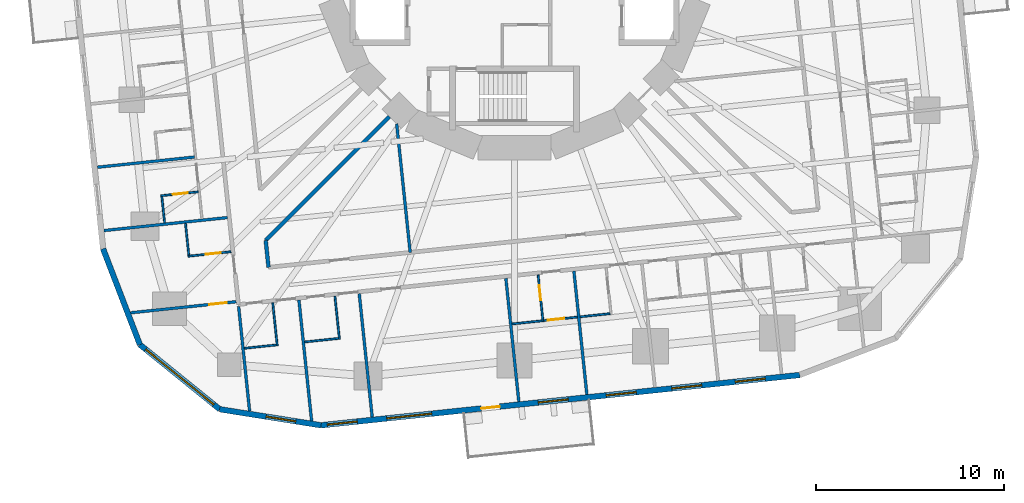
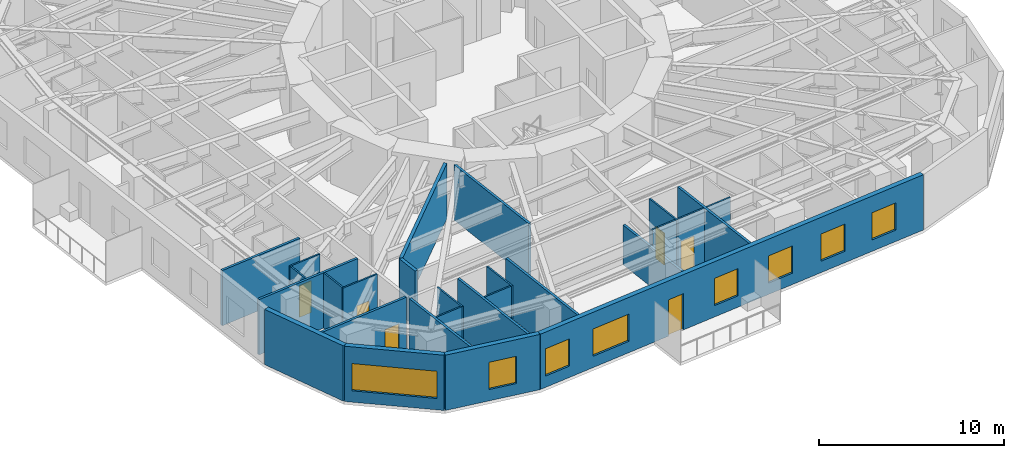
# One storey, part 4 of 13: 27 walls, 8 windows, 6 doors, 14 openings.
"""IFC4 building model written with IfcOpenShell, lengths in metres."""

from ifc_helpers import new_model, si_unit, direction, frame, frame_2d, origin, place, context, subcontext, project, spatial, rectangle, extrude, material, layer, layer_set, type_object, element, fill, save


model = new_model("IFC4")

# Units and contexts
model_context = context("Model", 3, precision=1e-05, world=origin(), true_north=direction((0.0, 1.0)))
body_context = subcontext(model_context, "Body", "Model", "MODEL_VIEW")
ifc_project = project(units=[si_unit("LENGTHUNIT", "METRE"), si_unit("AREAUNIT", "SQUARE_METRE"), si_unit("VOLUMEUNIT", "CUBIC_METRE"), si_unit("PLANEANGLEUNIT", "RADIAN"), si_unit("MASSUNIT", "GRAM", prefix="KILO")], contexts=[model_context])

# Site, building, storey
site_placement = place(None, origin())
site = spatial("IfcSite", under=ifc_project, at=site_placement, CompositionType="ELEMENT")
building_placement = place(site_placement, origin())
building = spatial("IfcBuilding", under=site, at=building_placement, Name="Nakasero Lantern House", CompositionType="ELEMENT")
storey_placement = place(building_placement, frame((0.0, 0.0, 91.300048828125)))
storey = spatial("IfcBuildingStorey", under=building, at=storey_placement, Name="L22", CompositionType="ELEMENT", Elevation=91.300048828125)

# Walls
ifc_material_1 = material(Name="Blockwork", Category="masonry")
ifc_layer_1 = layer(ifc_material_1, 0.199951171875)
ifc_layer_set_1 = layer_set([ifc_layer_1], Name="Corridor wall 200")
wall_type_1 = type_object("IfcWallType", Name="Corridor wall 200", PredefinedType="PARTITIONING", material=ifc_layer_set_1)
wall_1_placement = place(storey_placement, frame((-13.23388671875, -14.718994140625, 0.0), z_axis=(0.0, 0.0, 1.0), x_axis=(0.104420916302, -0.994533193131, 0.0)))
element("IfcWall", 1, at=wall_1_placement, inside=storey, type_object=wall_type_1, Name="Corridor wall L22 IW2-1", PredefinedType="PARTITIONING", context=body_context, shape_type="SweptSolid", body=[
    extrude(rectangle(XDim=1.44482421875, YDim=0.199951171875, at=frame_2d((0.722412109375, 0.0))), origin(), (0.0, 0.0, 1.0), 3.64990234375),
])
wall_2_placement = place(storey_placement, frame((-6.65234375, -8.13720703125, 0.0), z_axis=(0.0, 0.0, 1.0), x_axis=(-0.707093666337, -0.707119895793, 0.0)))
element("IfcWall", 2, at=wall_2_placement, inside=storey, type_object=wall_type_1, Name="Corridor wall L22 PS10a", PredefinedType="PARTITIONING", context=body_context, shape_type="SweptSolid", body=[
    extrude(rectangle(XDim=9.307861328125, YDim=0.199951171875, at=frame_2d((4.65380859375, 0.0))), origin(), (0.0, 0.0, 1.0), 3.64990234375),
])

# Wall, opening, door
ifc_material_2 = material(Name="Blockwork", Category="masonry")
ifc_layer_2 = layer(ifc_material_2, 0.10009765625)
ifc_layer_set_2 = layer_set([ifc_layer_2], Name="En-suite wall 100")
wall_type_2 = type_object("IfcWallType", Name="En-suite wall 100", PredefinedType="PARTITIONING", material=ifc_layer_set_2)
wall_3_placement = place(storey_placement, frame((-16.822998046875, -12.14111328125, 0.0), z_axis=(0.0, 0.0, 1.0), x_axis=(-0.99452550138, -0.104494148666, 0.0)))
wall_3 = element("IfcWall", 3, at=wall_3_placement, inside=storey, type_object=wall_type_2, Name="En-suite wall L22 ES2-07", PredefinedType="PARTITIONING", context=body_context, shape_type="SweptSolid", body=[
    extrude(rectangle(XDim=2.0, YDim=0.10009765625, at=frame_2d((1.0, 0.0))), origin(), (0.0, 0.0, 1.0), 3.64990234375),
])
opening_1_placement = place(wall_3_placement, frame((0.550048828125, 0.0, 0.0)))
opening_1 = element("IfcOpeningElement", 4, at=opening_1_placement, cuts=wall_3, Name="Opening D02", PredefinedType="OPENING", context=body_context, shape_type="SweptSolid", body=[
    extrude(rectangle(XDim=0.800048828125, YDim=2.10009765625, at=frame_2d((0.39990234375, 1.050048828125))), frame((0.0, 0.070068359375, 0.0), z_axis=(0.0, -1.0, 0.0), x_axis=(1.0, 0.0, 0.0)), (0.0, 0.0, 1.0), 0.14013671875),
])
ifc_material_3 = material(Name="Timber C24", Category="wood")
door_type_1 = type_object("IfcDoorType", Name="En-suite door 800", OperationType="SINGLE_SWING_RIGHT", PredefinedType="DOOR", material=ifc_material_3)
door_1_placement = place(opening_1_placement, origin())
door_1 = element("IfcDoor", 5, at=door_1_placement, inside=storey, type_object=door_type_1, Name="Door L22 DE2-07", OperationType="SINGLE_SWING_LEFT", OverallHeight=2.10009765625, OverallWidth=0.800048828125, PredefinedType="DOOR", context=body_context, shape_type="SweptSolid", body=[
    extrude(rectangle(XDim=0.800048828125, YDim=2.10009765625, at=frame_2d((0.39990234375, 1.050048828125))), frame((0.0, 0.02490234375, 0.0), z_axis=(0.0, -1.0, 0.0), x_axis=(1.0, 0.0, 0.0)), (0.0, 0.0, 1.0), 0.050048828125),
])
fill(opening_1, door_1)

# Wall
wall_4_placement = place(storey_placement, frame((-18.757080078125, -12.394775390625, 0.0), z_axis=(0.0, 0.0, 1.0), x_axis=(0.104457839748, -0.994529315664, 0.0)))
element("IfcWall", 6, at=wall_4_placement, inside=storey, type_object=wall_type_2, Name="En-suite wall L22 EE2-07", PredefinedType="PARTITIONING", context=body_context, shape_type="SweptSolid", body=[
    extrude(rectangle(XDim=1.39990234375, YDim=0.10009765625, at=frame_2d((0.699951171875, 0.0))), origin(), (0.0, 0.0, 1.0), 3.64990234375),
])

# Wall, opening, door
wall_5_placement = place(storey_placement, frame((-15.08056640625, -15.326416015625, 0.0), z_axis=(0.0, 0.0, 1.0), x_axis=(-0.994518822602, -0.104557694553, 0.0)))
wall_5 = element("IfcWall", 7, at=wall_5_placement, inside=storey, type_object=wall_type_2, Name="En-suite wall L22 ES2-08", PredefinedType="PARTITIONING", context=body_context, shape_type="SweptSolid", body=[
    extrude(rectangle(XDim=2.300048828125, YDim=0.10009765625, at=frame_2d((1.14990234375, 0.0))), origin(), (0.0, 0.0, 1.0), 3.64990234375),
])
opening_2_placement = place(wall_5_placement, frame((0.550048828125, 0.0, 0.0)))
opening_2 = element("IfcOpeningElement", 8, at=opening_2_placement, cuts=wall_5, Name="Opening D02", PredefinedType="OPENING", context=body_context, shape_type="SweptSolid", body=[
    extrude(rectangle(XDim=0.800048828125, YDim=2.10009765625, at=frame_2d((0.39990234375, 1.050048828125))), frame((0.0, 0.070068359375, 0.0), z_axis=(0.0, -1.0, 0.0), x_axis=(1.0, 0.0, 0.0)), (0.0, 0.0, 1.0), 0.14013671875),
])
door_2_placement = place(opening_2_placement, origin())
door_2 = element("IfcDoor", 9, at=door_2_placement, inside=storey, type_object=door_type_1, Name="Door L22 DE2-08", OperationType="SINGLE_SWING_LEFT", OverallHeight=2.10009765625, OverallWidth=0.800048828125, PredefinedType="DOOR", context=body_context, shape_type="SweptSolid", body=[
    extrude(rectangle(XDim=0.800048828125, YDim=2.10009765625, at=frame_2d((0.39990234375, 1.050048828125))), frame((0.0, 0.02490234375, 0.0), z_axis=(0.0, -1.0, 0.0), x_axis=(1.0, 0.0, 0.0)), (0.0, 0.0, 1.0), 0.050048828125),
])
fill(opening_2, door_2)

# Walls
wall_6_placement = place(storey_placement, frame((-17.501220703125, -13.8212890625, 0.0), z_axis=(0.0, 0.0, 1.0), x_axis=(0.104550220202, -0.994519608382, 0.0)))
element("IfcWall", 10, at=wall_6_placement, inside=storey, type_object=wall_type_2, Name="En-suite wall L22 EE2-08", PredefinedType="PARTITIONING", context=body_context, shape_type="SweptSolid", body=[
    extrude(rectangle(XDim=1.699951171875, YDim=0.10009765625, at=frame_2d((0.85009765625, 0.0))), origin(), (0.0, 0.0, 1.0), 3.64990234375),
])
wall_7_placement = place(storey_placement, frame((-12.859375, -18.04296875, 0.0), z_axis=(0.0, 0.0, 1.0), x_axis=(0.104452703326, -0.994529855142, 0.0)))
element("IfcWall", 11, at=wall_7_placement, inside=storey, type_object=wall_type_2, Name="En-suite wall L22 ES3-00", PredefinedType="PARTITIONING", context=body_context, shape_type="SweptSolid", body=[
    extrude(rectangle(XDim=2.300048828125, YDim=0.10009765625, at=frame_2d((1.14990234375, 0.0))), origin(), (0.0, 0.0, 1.0), 3.64990234375),
])
wall_8_placement = place(storey_placement, frame((-14.36474609375, -20.463623046875, 0.0), z_axis=(0.0, 0.0, 1.0), x_axis=(0.994519608382, 0.104550220202, 0.0)))
element("IfcWall", 12, at=wall_8_placement, inside=storey, type_object=wall_type_2, Name="En-suite wall L22 EE3-00", PredefinedType="PARTITIONING", context=body_context, shape_type="SweptSolid", body=[
    extrude(rectangle(XDim=1.699951171875, YDim=0.10009765625, at=frame_2d((0.85009765625, 0.0))), origin(), (0.0, 0.0, 1.0), 3.64990234375),
])
wall_9_placement = place(storey_placement, frame((-9.55224609375, -17.6953125, 0.0), z_axis=(0.0, 0.0, 1.0), x_axis=(0.104441677364, -0.994531013106, 0.0)))
element("IfcWall", 13, at=wall_9_placement, inside=storey, type_object=wall_type_2, Name="En-suite wall L22 ES3-01", PredefinedType="PARTITIONING", context=body_context, shape_type="SweptSolid", body=[
    extrude(rectangle(XDim=2.30029296875, YDim=0.10009765625, at=frame_2d((1.150146484375, 0.0))), origin(), (0.0, 0.0, 1.0), 3.64990234375),
])
wall_10_placement = place(storey_placement, frame((-11.156982421875, -20.12646484375, 0.0), z_axis=(0.0, 0.0, 1.0), x_axis=(0.994516595821, 0.104578872801, 0.0)))
element("IfcWall", 14, at=wall_10_placement, inside=storey, type_object=wall_type_2, Name="En-suite wall L22 EE3-01", PredefinedType="PARTITIONING", context=body_context, shape_type="SweptSolid", body=[
    extrude(rectangle(XDim=1.7998046875, YDim=0.10009765625, at=frame_2d((0.89990234375, 0.0))), origin(), (0.0, 0.0, 1.0), 3.64990234375),
])

# Wall, opening, door
wall_11_placement = place(storey_placement, frame((1.255615234375, -16.5595703125, 0.0), z_axis=(0.0, 0.0, 1.0), x_axis=(0.104501760842, -0.994524701544, 0.0)))
wall_11 = element("IfcWall", 15, at=wall_11_placement, inside=storey, type_object=wall_type_2, Name="En-suite wall L22 ES3-04", PredefinedType="PARTITIONING", context=body_context, shape_type="SweptSolid", body=[
    extrude(rectangle(XDim=2.499755859375, YDim=0.10009765625, at=frame_2d((1.25, 0.0))), origin(), (0.0, 0.0, 1.0), 3.64990234375),
])
opening_3_placement = place(wall_11_placement, frame((0.550048828125, 0.0, 0.0)))
opening_3 = element("IfcOpeningElement", 16, at=opening_3_placement, cuts=wall_11, Name="Opening D02", PredefinedType="OPENING", context=body_context, shape_type="SweptSolid", body=[
    extrude(rectangle(XDim=0.800048828125, YDim=2.10009765625, at=frame_2d((0.39990234375, 1.050048828125))), frame((0.0, 0.070068359375, 0.0), z_axis=(0.0, -1.0, 0.0), x_axis=(1.0, 0.0, 0.0)), (0.0, 0.0, 1.0), 0.14013671875),
])
door_3_placement = place(opening_3_placement, origin())
door_3 = element("IfcDoor", 17, at=door_3_placement, inside=storey, type_object=door_type_1, Name="Door L22 DE3-04", OperationType="SINGLE_SWING_LEFT", OverallHeight=2.10009765625, OverallWidth=0.800048828125, PredefinedType="DOOR", context=body_context, shape_type="SweptSolid", body=[
    extrude(rectangle(XDim=0.800048828125, YDim=2.10009765625, at=frame_2d((0.39990234375, 1.050048828125))), frame((0.0, 0.02490234375, 0.0), z_axis=(0.0, -1.0, 0.0), x_axis=(1.0, 0.0, 0.0)), (0.0, 0.0, 1.0), 0.050048828125),
])
fill(opening_3, door_3)

# Walls
for number, where, z_axis, x_axis, name in (
    (18, (-0.129150390625, -19.16845703125, 0.0), (0.0, 0.0, 1.0), (0.994521329025, 0.104533851524, 0.0), "En-suite wall L22 EE3-04"),
    (19, (3.489501953125, -18.7880859375, 0.0), (0.0, 0.0, 1.0), (0.994521329025, 0.104533851524, 0.0), "En-suite wall L22 EE3-05"),
):
    element("IfcWall", number, at=place(storey_placement, frame(where, z_axis=z_axis, x_axis=x_axis)), inside=storey, type_object=wall_type_2, Name=name, PredefinedType="PARTITIONING", context=body_context, shape_type="SweptSolid", body=[
        extrude(rectangle(XDim=1.599853515625, YDim=0.10009765625, at=frame_2d((0.7998046875, 0.0))), origin(), (0.0, 0.0, 1.0), 3.64990234375),
    ])

# Wall, opening, door
wall_12_placement = place(storey_placement, frame((1.5615234375, -18.99072265625, 0.0), z_axis=(0.0, 0.0, 1.0), x_axis=(0.99453309198, 0.104421879682, 0.0)))
wall_12 = element("IfcWall", 20, at=wall_12_placement, inside=storey, type_object=wall_type_2, Name="En-suite wall L22 EL3-04", PredefinedType="PARTITIONING", context=body_context, shape_type="SweptSolid", body=[
    extrude(rectangle(XDim=1.78857421875, YDim=0.10009765625, at=frame_2d((0.894287109375, 0.0))), origin(), (0.0, 0.0, 1.0), 3.64990234375),
])
opening_4_placement = place(wall_12_placement, frame((0.199951171875, 0.0, 0.0)))
opening_4 = element("IfcOpeningElement", 21, at=opening_4_placement, cuts=wall_12, Name="Opening D17", PredefinedType="OPENING", context=body_context, shape_type="SweptSolid", body=[
    extrude(rectangle(XDim=0.89990234375, YDim=2.10009765625, at=frame_2d((0.449951171875, 1.050048828125))), frame((0.0, 0.070068359375, 0.0), z_axis=(0.0, -1.0, 0.0), x_axis=(1.0, 0.0, 0.0)), (0.0, 0.0, 1.0), 0.14013671875),
])
ifc_material_4 = material(Name="Timber C24", Category="wood")
door_type_2 = type_object("IfcDoorType", Name="Bedroom door FD30S 900", OperationType="SINGLE_SWING_LEFT", PredefinedType="DOOR", material=ifc_material_4)
door_4_placement = place(opening_4_placement, origin())
door_4 = element("IfcDoor", 22, at=door_4_placement, inside=storey, type_object=door_type_2, Name="Door L22 DL3-04", OperationType="SINGLE_SWING_LEFT", OverallHeight=2.10009765625, OverallWidth=0.89990234375, PredefinedType="DOOR", context=body_context, shape_type="SweptSolid", body=[
    extrude(rectangle(XDim=0.89990234375, YDim=2.10009765625, at=frame_2d((0.449951171875, 1.050048828125))), frame((0.0, 0.02490234375, 0.0), z_axis=(0.0, -1.0, 0.0), x_axis=(1.0, 0.0, 0.0)), (0.0, 0.0, 1.0), 0.050048828125),
])
fill(opening_4, door_4)

# Wall
ifc_material_5 = material(Name="Aluminium rainscreen on blockwork", Category="masonry")
ifc_layer_3 = layer(ifc_material_5, 0.300048828125)
ifc_layer_set_3 = layer_set([ifc_layer_3], Name="Facade wall 300")
wall_type_3 = type_object("IfcWallType", Name="Facade wall 300", PredefinedType="SOLIDWALL", material=ifc_layer_set_3)
wall_13_placement = place(storey_placement, frame((-21.884033203125, -15.170654296875, 0.0), z_axis=(0.0, 0.0, 1.0), x_axis=(0.358358884793, -0.933583906079, 0.0)))
element("IfcWall", 23, at=wall_13_placement, inside=storey, type_object=wall_type_3, Name="Facade wall L22 FW2C1", PredefinedType="SOLIDWALL", context=body_context, shape_type="SweptSolid", body=[
    extrude(rectangle(XDim=5.461181640625, YDim=0.300048828125, at=frame_2d((2.73046875, 0.0))), origin(), (0.0, 0.0, 1.0), 3.64990234375),
])

# Wall, opening, window
wall_14_placement = place(storey_placement, frame((-19.927001953125, -20.26904296875, 0.0), z_axis=(0.0, 0.0, 1.0), x_axis=(0.777134500863, -0.629334543442, 0.0)))
wall_14 = element("IfcWall", 24, at=wall_14_placement, inside=storey, type_object=wall_type_3, Name="Facade wall L22 FW2C2", PredefinedType="SOLIDWALL", context=body_context, shape_type="SweptSolid", body=[
    extrude(rectangle(XDim=5.4609375, YDim=0.300048828125, at=frame_2d((2.73046875, 0.0))), origin(), (0.0, 0.0, 1.0), 3.64990234375),
])
opening_5_placement = place(wall_14_placement, frame((0.39990234375, 0.0, 0.75)))
opening_5 = element("IfcOpeningElement", 25, at=opening_5_placement, cuts=wall_14, Name="Opening W246", PredefinedType="OPENING", context=body_context, shape_type="SweptSolid", body=[
    extrude(rectangle(XDim=4.660888671875, YDim=1.800048828125, at=frame_2d((2.33056640625, 0.89990234375))), frame((0.0, 0.169921875, 0.0), z_axis=(0.0, -1.0, 0.0), x_axis=(1.0, 0.0, 0.0)), (0.0, 0.0, 1.0), 0.340087890625),
])
ifc_material_6 = material(Name="Aluminium 6063-T6 and glass", Category="aluminium")
window_type_1 = type_object("IfcWindowType", Name="Corner window 4661x1800", PartitioningType="SINGLE_PANEL", PredefinedType="WINDOW", material=ifc_material_6)
window_1_placement = place(opening_5_placement, origin())
window_1 = element("IfcWindow", 26, at=window_1_placement, inside=storey, type_object=window_type_1, Name="Window L22 WC2", OverallHeight=1.800048828125, OverallWidth=4.660888671875, PartitioningType="SINGLE_PANEL", PredefinedType="WINDOW", context=body_context, shape_type="SweptSolid", body=[
    extrude(rectangle(XDim=4.660888671875, YDim=1.800048828125, at=frame_2d((2.33056640625, 0.89990234375))), frame((0.0, 0.030029296875, 0.0), z_axis=(0.0, -1.0, 0.0), x_axis=(1.0, 0.0, 0.0)), (0.0, 0.0, 1.0), 0.06005859375),
])
fill(opening_5, window_1)

wall_15_placement = place(storey_placement, frame((-15.68310546875, -23.705810546875, 0.0), z_axis=(0.0, 0.0, 1.0), x_axis=(0.987690729142, -0.156419383601, 0.0)))
wall_15 = element("IfcWall", 27, at=wall_15_placement, inside=storey, type_object=wall_type_3, Name="Facade wall L22 FW2C3", PredefinedType="SOLIDWALL", context=body_context, shape_type="SweptSolid", body=[
    extrude(rectangle(XDim=5.461181640625, YDim=0.300048828125, at=frame_2d((2.73046875, 0.0))), origin(), (0.0, 0.0, 1.0), 3.64990234375),
])
opening_6_placement = place(wall_15_placement, frame((2.5, 0.0, 0.75)))
opening_6 = element("IfcOpeningElement", 28, at=opening_6_placement, cuts=wall_15, Name="Opening W01", PredefinedType="OPENING", context=body_context, shape_type="SweptSolid", body=[
    extrude(rectangle(XDim=1.60009765625, YDim=1.800048828125, at=frame_2d((0.800048828125, 0.89990234375))), frame((0.0, 0.169921875, 0.0), z_axis=(0.0, -1.0, 0.0), x_axis=(1.0, 0.0, 0.0)), (0.0, 0.0, 1.0), 0.340087890625),
])
ifc_material_7 = material(Name="Aluminium 6063-T6 and glass", Category="aluminium")
window_type_2 = type_object("IfcWindowType", Name="Bedroom window 1600x1800", PartitioningType="SINGLE_PANEL", PredefinedType="WINDOW", material=ifc_material_7)
window_2_placement = place(opening_6_placement, origin())
window_2 = element("IfcWindow", 29, at=window_2_placement, inside=storey, type_object=window_type_2, Name="Window L22 WN3-00", OverallHeight=1.800048828125, OverallWidth=1.60009765625, PartitioningType="SINGLE_PANEL", PredefinedType="WINDOW", context=body_context, shape_type="SweptSolid", body=[
    extrude(rectangle(XDim=1.60009765625, YDim=1.800048828125, at=frame_2d((0.800048828125, 0.89990234375))), frame((0.0, 0.030029296875, 0.0), z_axis=(0.0, -1.0, 0.0), x_axis=(1.0, 0.0, 0.0)), (0.0, 0.0, 1.0), 0.06005859375),
])
fill(opening_6, window_2)

# Wall, openings, door, windows
wall_16_placement = place(storey_placement, frame((-10.2890625, -24.56005859375, 0.0), z_axis=(0.0, 0.0, 1.0), x_axis=(0.994521483895, 0.104532378096, 0.0)))
wall_16 = element("IfcWall", 30, at=wall_16_placement, inside=storey, type_object=wall_type_3, Name="Facade wall L22 FW3S", PredefinedType="SOLIDWALL", context=body_context, shape_type="SweptSolid", body=[
    extrude(rectangle(XDim=25.599853515625, YDim=0.300048828125, at=frame_2d((12.7998046875, 0.0))), origin(), (0.0, 0.0, 1.0), 3.64990234375),
])
opening_7_placement = place(wall_16_placement, frame((0.337890625, 0.0, 0.75)))
opening_7 = element("IfcOpeningElement", 31, at=opening_7_placement, cuts=wall_16, Name="Opening W01", PredefinedType="OPENING", context=body_context, shape_type="SweptSolid", body=[
    extrude(rectangle(XDim=1.60009765625, YDim=1.800048828125, at=frame_2d((0.800048828125, 0.89990234375))), frame((0.0, 0.169921875, 0.0), z_axis=(0.0, -1.0, 0.0), x_axis=(1.0, 0.0, 0.0)), (0.0, 0.0, 1.0), 0.340087890625),
])
opening_8_placement = place(wall_16_placement, frame((11.612060546875, 0.0, 0.75)))
opening_8 = element("IfcOpeningElement", 32, at=opening_8_placement, cuts=wall_16, Name="Opening W01", PredefinedType="OPENING", context=body_context, shape_type="SweptSolid", body=[
    extrude(rectangle(XDim=1.60009765625, YDim=1.800048828125, at=frame_2d((0.800048828125, 0.89990234375))), frame((0.0, 0.169921875, 0.0), z_axis=(0.0, -1.0, 0.0), x_axis=(1.0, 0.0, 0.0)), (0.0, 0.0, 1.0), 0.340087890625),
])
opening_9_placement = place(wall_16_placement, frame((15.250732421875, 0.0, 0.75)))
opening_9 = element("IfcOpeningElement", 33, at=opening_9_placement, cuts=wall_16, Name="Opening W01", PredefinedType="OPENING", context=body_context, shape_type="SweptSolid", body=[
    extrude(rectangle(XDim=1.60009765625, YDim=1.800048828125, at=frame_2d((0.800048828125, 0.89990234375))), frame((0.0, 0.169921875, 0.0), z_axis=(0.0, -1.0, 0.0), x_axis=(1.0, 0.0, 0.0)), (0.0, 0.0, 1.0), 0.340087890625),
])
opening_10_placement = place(wall_16_placement, frame((18.7626953125, 0.0, 0.75)))
opening_10 = element("IfcOpeningElement", 34, at=opening_10_placement, cuts=wall_16, Name="Opening W01", PredefinedType="OPENING", context=body_context, shape_type="SweptSolid", body=[
    extrude(rectangle(XDim=1.60009765625, YDim=1.800048828125, at=frame_2d((0.800048828125, 0.89990234375))), frame((0.0, 0.169921875, 0.0), z_axis=(0.0, -1.0, 0.0), x_axis=(1.0, 0.0, 0.0)), (0.0, 0.0, 1.0), 0.340087890625),
])
opening_11_placement = place(wall_16_placement, frame((22.1484375, 0.0, 0.75)))
opening_11 = element("IfcOpeningElement", 35, at=opening_11_placement, cuts=wall_16, Name="Opening W01", PredefinedType="OPENING", context=body_context, shape_type="SweptSolid", body=[
    extrude(rectangle(XDim=1.60009765625, YDim=1.800048828125, at=frame_2d((0.800048828125, 0.89990234375))), frame((0.0, 0.169921875, 0.0), z_axis=(0.0, -1.0, 0.0), x_axis=(1.0, 0.0, 0.0)), (0.0, 0.0, 1.0), 0.340087890625),
])
opening_12_placement = place(wall_16_placement, frame((3.51123046875, 0.0, 0.75)))
opening_12 = element("IfcOpeningElement", 36, at=opening_12_placement, cuts=wall_16, Name="Opening W03", PredefinedType="OPENING", context=body_context, shape_type="SweptSolid", body=[
    extrude(rectangle(XDim=2.39990234375, YDim=1.800048828125, at=frame_2d((1.199951171875, 0.89990234375))), frame((0.0, 0.169921875, 0.0), z_axis=(0.0, -1.0, 0.0), x_axis=(1.0, 0.0, 0.0)), (0.0, 0.0, 1.0), 0.340087890625),
])
opening_13_placement = place(wall_16_placement, frame((8.558837890625, 0.0, 0.0)))
opening_13 = element("IfcOpeningElement", 37, at=opening_13_placement, cuts=wall_16, Name="Opening D04", PredefinedType="OPENING", context=body_context, shape_type="SweptSolid", body=[
    extrude(rectangle(XDim=1.0, YDim=2.39990234375, at=frame_2d((0.5, 1.199951171875))), frame((0.0, 0.169921875, 0.0), z_axis=(0.0, -1.0, 0.0), x_axis=(1.0, 0.0, 0.0)), (0.0, 0.0, 1.0), 0.340087890625),
])
ifc_material_8 = material(Name="Aluminium 6063-T6 and glass", Category="aluminium")
door_type_3 = type_object("IfcDoorType", Name="Balcony door 1000x2400", OperationType="SINGLE_SWING_RIGHT", PredefinedType="DOOR", material=ifc_material_8)
door_5_placement = place(opening_13_placement, origin())
door_5 = element("IfcDoor", 38, at=door_5_placement, inside=storey, type_object=door_type_3, Name="Balcony door L22 DB3", OperationType="SINGLE_SWING_RIGHT", OverallHeight=2.39990234375, OverallWidth=1.0, PredefinedType="DOOR", context=body_context, shape_type="SweptSolid", body=[
    extrude(rectangle(XDim=1.0, YDim=2.39990234375, at=frame_2d((0.5, 1.199951171875))), frame((0.0, 0.02490234375, 0.0), z_axis=(0.0, -1.0, 0.0), x_axis=(1.0, 0.0, 0.0)), (0.0, 0.0, 1.0), 0.050048828125),
])
fill(opening_13, door_5)
window_3_placement = place(opening_7_placement, origin())
window_3 = element("IfcWindow", 39, at=window_3_placement, inside=storey, type_object=window_type_2, Name="Window L22 WN3-01", OverallHeight=1.800048828125, OverallWidth=1.60009765625, PartitioningType="SINGLE_PANEL", PredefinedType="WINDOW", context=body_context, shape_type="SweptSolid", body=[
    extrude(rectangle(XDim=1.60009765625, YDim=1.800048828125, at=frame_2d((0.800048828125, 0.89990234375))), frame((0.0, 0.030029296875, 0.0), z_axis=(0.0, -1.0, 0.0), x_axis=(1.0, 0.0, 0.0)), (0.0, 0.0, 1.0), 0.06005859375),
])
fill(opening_7, window_3)
window_4_placement = place(opening_8_placement, origin())
window_4 = element("IfcWindow", 40, at=window_4_placement, inside=storey, type_object=window_type_2, Name="Window L22 WN3-04", OverallHeight=1.800048828125, OverallWidth=1.60009765625, PartitioningType="SINGLE_PANEL", PredefinedType="WINDOW", context=body_context, shape_type="SweptSolid", body=[
    extrude(rectangle(XDim=1.60009765625, YDim=1.800048828125, at=frame_2d((0.800048828125, 0.89990234375))), frame((0.0, 0.030029296875, 0.0), z_axis=(0.0, -1.0, 0.0), x_axis=(1.0, 0.0, 0.0)), (0.0, 0.0, 1.0), 0.06005859375),
])
fill(opening_8, window_4)
window_5_placement = place(opening_9_placement, origin())
window_5 = element("IfcWindow", 41, at=window_5_placement, inside=storey, type_object=window_type_2, Name="Window L22 WN3-05", OverallHeight=1.800048828125, OverallWidth=1.60009765625, PartitioningType="SINGLE_PANEL", PredefinedType="WINDOW", context=body_context, shape_type="SweptSolid", body=[
    extrude(rectangle(XDim=1.60009765625, YDim=1.800048828125, at=frame_2d((0.800048828125, 0.89990234375))), frame((0.0, 0.030029296875, 0.0), z_axis=(0.0, -1.0, 0.0), x_axis=(1.0, 0.0, 0.0)), (0.0, 0.0, 1.0), 0.06005859375),
])
fill(opening_9, window_5)
window_6_placement = place(opening_10_placement, origin())
window_6 = element("IfcWindow", 42, at=window_6_placement, inside=storey, type_object=window_type_2, Name="Window L22 WN3-06", OverallHeight=1.800048828125, OverallWidth=1.60009765625, PartitioningType="SINGLE_PANEL", PredefinedType="WINDOW", context=body_context, shape_type="SweptSolid", body=[
    extrude(rectangle(XDim=1.60009765625, YDim=1.800048828125, at=frame_2d((0.800048828125, 0.89990234375))), frame((0.0, 0.030029296875, 0.0), z_axis=(0.0, -1.0, 0.0), x_axis=(1.0, 0.0, 0.0)), (0.0, 0.0, 1.0), 0.06005859375),
])
fill(opening_10, window_6)
window_7_placement = place(opening_11_placement, origin())
window_7 = element("IfcWindow", 43, at=window_7_placement, inside=storey, type_object=window_type_2, Name="Window L22 WN3-07", OverallHeight=1.800048828125, OverallWidth=1.60009765625, PartitioningType="SINGLE_PANEL", PredefinedType="WINDOW", context=body_context, shape_type="SweptSolid", body=[
    extrude(rectangle(XDim=1.60009765625, YDim=1.800048828125, at=frame_2d((0.800048828125, 0.89990234375))), frame((0.0, 0.030029296875, 0.0), z_axis=(0.0, -1.0, 0.0), x_axis=(1.0, 0.0, 0.0)), (0.0, 0.0, 1.0), 0.06005859375),
])
fill(opening_11, window_7)
ifc_material_9 = material(Name="Aluminium 6063-T6 and glass", Category="aluminium")
window_type_3 = type_object("IfcWindowType", Name="Lounge window 2400x1800", PartitioningType="SINGLE_PANEL", PredefinedType="WINDOW", material=ifc_material_9)
window_8_placement = place(opening_12_placement, origin())
window_8 = element("IfcWindow", 44, at=window_8_placement, inside=storey, type_object=window_type_3, Name="Window L22 WK3", OverallHeight=1.800048828125, OverallWidth=2.39990234375, PartitioningType="SINGLE_PANEL", PredefinedType="WINDOW", context=body_context, shape_type="SweptSolid", body=[
    extrude(rectangle(XDim=2.39990234375, YDim=1.800048828125, at=frame_2d((1.199951171875, 0.89990234375))), frame((0.0, 0.030029296875, 0.0), z_axis=(0.0, -1.0, 0.0), x_axis=(1.0, 0.0, 0.0)), (0.0, 0.0, 1.0), 0.06005859375),
])
fill(opening_12, window_8)

# Walls
ifc_material_10 = material(Name="Blockwork", Category="masonry")
ifc_layer_4 = layer(ifc_material_10, 0.14990234375)
ifc_layer_set_4 = layer_set([ifc_layer_4], Name="Party wall 150")
wall_type_4 = type_object("IfcWallType", Name="Party wall 150", PredefinedType="PARTITIONING", material=ifc_layer_set_4)
wall_17_placement = place(storey_placement, frame((-17.017578125, -10.290771484375, 0.0), z_axis=(0.0, 0.0, 1.0), x_axis=(-0.994523446942, -0.104513699976, 0.0)))
element("IfcWall", 45, at=wall_17_placement, inside=storey, type_object=wall_type_4, Name="Party wall L22 PW2-07", PredefinedType="PARTITIONING", context=body_context, shape_type="SweptSolid", body=[
    extrude(rectangle(XDim=5.199951171875, YDim=0.14990234375, at=frame_2d((2.60009765625, 0.0))), origin(), (0.0, 0.0, 1.0), 3.64990234375),
])
wall_18_placement = place(storey_placement, frame((-15.271240234375, -13.511474609375, 0.0), z_axis=(0.0, 0.0, 1.0), x_axis=(-0.994521251134, -0.104534592565, 0.0)))
element("IfcWall", 46, at=wall_18_placement, inside=storey, type_object=wall_type_4, Name="Party wall L22 PW2-08", PredefinedType="PARTITIONING", context=body_context, shape_type="SweptSolid", body=[
    extrude(rectangle(XDim=6.60009765625, YDim=0.14990234375, at=frame_2d((3.300048828125, 0.0))), origin(), (0.0, 0.0, 1.0), 3.64990234375),
])

# Wall, opening, door
wall_19_placement = place(storey_placement, frame((-14.801025390625, -17.9853515625, 0.0), z_axis=(0.0, 0.0, 1.0), x_axis=(-0.994522751177, -0.104520320471, 0.0)))
wall_19 = element("IfcWall", 47, at=wall_19_placement, inside=storey, type_object=wall_type_4, Name="Party wall L22 PC2", PredefinedType="PARTITIONING", context=body_context, shape_type="SweptSolid", body=[
    extrude(rectangle(XDim=5.64111328125, YDim=0.14990234375, at=frame_2d((2.820556640625, 0.0))), origin(), (0.0, 0.0, 1.0), 3.64990234375),
])
opening_14_placement = place(wall_19_placement, frame((0.5, 0.0, 0.0)))
opening_14 = element("IfcOpeningElement", 48, at=opening_14_placement, cuts=wall_19, Name="Opening D01", PredefinedType="OPENING", context=body_context, shape_type="SweptSolid", body=[
    extrude(rectangle(XDim=0.949951171875, YDim=2.10009765625, at=frame_2d((0.47509765625, 1.050048828125))), frame((0.0, 0.094970703125, 0.0), z_axis=(0.0, -1.0, 0.0), x_axis=(1.0, 0.0, 0.0)), (0.0, 0.0, 1.0), 0.18994140625),
])
ifc_material_11 = material(Name="Timber C24", Category="wood")
door_type_4 = type_object("IfcDoorType", Name="Bedroom door FD30S 950", OperationType="SINGLE_SWING_LEFT", PredefinedType="DOOR", material=ifc_material_11)
door_6_placement = place(opening_14_placement, origin())
door_6 = element("IfcDoor", 49, at=door_6_placement, inside=storey, type_object=door_type_4, Name="Door L22 DC2", OperationType="SINGLE_SWING_LEFT", OverallHeight=2.10009765625, OverallWidth=0.949951171875, PredefinedType="DOOR", context=body_context, shape_type="SweptSolid", body=[
    extrude(rectangle(XDim=0.949951171875, YDim=2.10009765625, at=frame_2d((0.47509765625, 1.050048828125))), frame((0.0, 0.02490234375, 0.0), z_axis=(0.0, -1.0, 0.0), x_axis=(1.0, 0.0, 0.0)), (0.0, 0.0, 1.0), 0.050048828125),
])
fill(opening_14, door_6)

# Walls
wall_20_placement = place(storey_placement, frame((-14.674560546875, -18.23388671875, 0.0), z_axis=(0.0, 0.0, 1.0), x_axis=(0.104541754786, -0.994520498284, 0.0)))
element("IfcWall", 50, at=wall_20_placement, inside=storey, type_object=wall_type_4, Name="Party wall L22 PW3-00", PredefinedType="PARTITIONING", context=body_context, shape_type="SweptSolid", body=[
    extrude(rectangle(XDim=5.597900390625, YDim=0.14990234375, at=frame_2d((2.798828125, 0.0))), origin(), (0.0, 0.0, 1.0), 3.64990234375),
])
wall_21_placement = place(storey_placement, frame((-11.466796875, -17.896728515625, 0.0), z_axis=(0.0, 0.0, 1.0), x_axis=(0.10453728607, -0.994520968015, 0.0)))
element("IfcWall", 51, at=wall_21_placement, inside=storey, type_object=wall_type_4, Name="Party wall L22 PW3-01", PredefinedType="PARTITIONING", context=body_context, shape_type="SweptSolid", body=[
    extrude(rectangle(XDim=6.462158203125, YDim=0.14990234375, at=frame_2d((3.23095703125, 0.0))), origin(), (0.0, 0.0, 1.0), 3.64990234375),
])
wall_22_placement = place(storey_placement, frame((-8.25927734375, -17.5595703125, 0.0), z_axis=(0.0, 0.0, 1.0), x_axis=(0.104538438287, -0.994520846901, 0.0)))
element("IfcWall", 52, at=wall_22_placement, inside=storey, type_object=wall_type_4, Name="Party wall L22 PW3-02", PredefinedType="PARTITIONING", context=body_context, shape_type="SweptSolid", body=[
    extrude(rectangle(XDim=6.599853515625, YDim=0.14990234375, at=frame_2d((3.2998046875, 0.0))), origin(), (0.0, 0.0, 1.0), 3.64990234375),
])
wall_23_placement = place(storey_placement, frame((-0.4599609375, -16.73974609375, 0.0), z_axis=(0.0, 0.0, 1.0), x_axis=(0.104534592565, -0.994521251134, 0.0)))
element("IfcWall", 53, at=wall_23_placement, inside=storey, type_object=wall_type_4, Name="Party wall L22 PW3-04", PredefinedType="PARTITIONING", context=body_context, shape_type="SweptSolid", body=[
    extrude(rectangle(XDim=6.60009765625, YDim=0.14990234375, at=frame_2d((3.300048828125, 0.0))), origin(), (0.0, 0.0, 1.0), 2.623779296875),
])
wall_24_placement = place(storey_placement, frame((3.15869140625, -16.359375, 0.0), z_axis=(0.0, 0.0, 1.0), x_axis=(0.104534592565, -0.994521251134, 0.0)))
element("IfcWall", 54, at=wall_24_placement, inside=storey, type_object=wall_type_4, Name="Party wall L22 PW3-05", PredefinedType="PARTITIONING", context=body_context, shape_type="SweptSolid", body=[
    extrude(rectangle(XDim=6.60009765625, YDim=0.14990234375, at=frame_2d((3.300048828125, 0.0))), origin(), (0.0, 0.0, 1.0), 3.64990234375),
])
wall_25_placement = place(storey_placement, frame((-6.267822265625, -8.52197265625, 0.0), z_axis=(0.0, 0.0, 1.0), x_axis=(0.10454070199, -0.994520608951, 0.0)))
element("IfcWall", 55, at=wall_25_placement, inside=storey, type_object=wall_type_4, Name="Party wall L22 IS1", PredefinedType="PARTITIONING", context=body_context, shape_type="SweptSolid", body=[
    extrude(rectangle(XDim=6.8798828125, YDim=0.14990234375, at=frame_2d((3.43994140625, 0.0))), origin(), (0.0, 0.0, 1.0), 3.64990234375),
])

save(model, "model.ifc")
